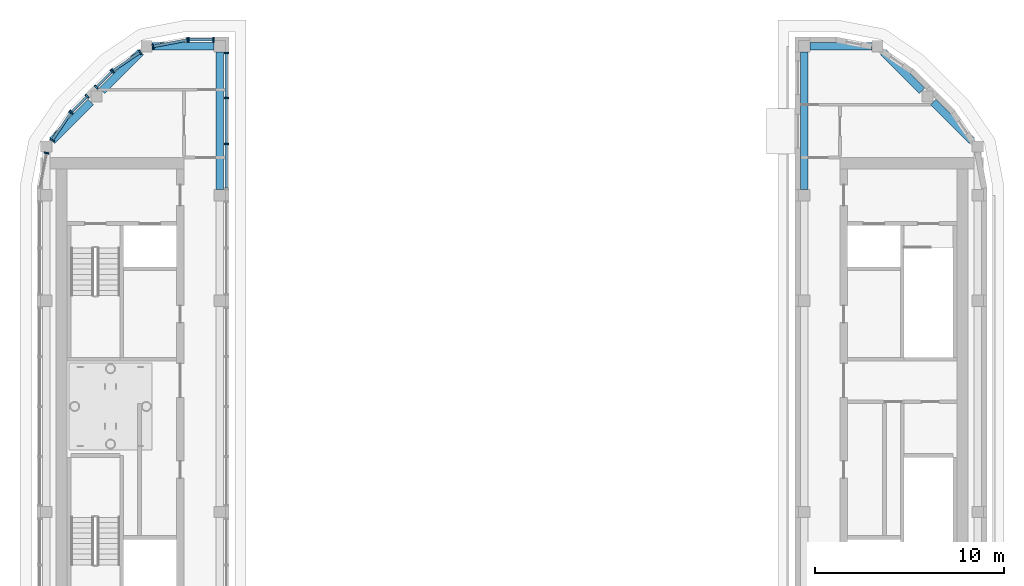
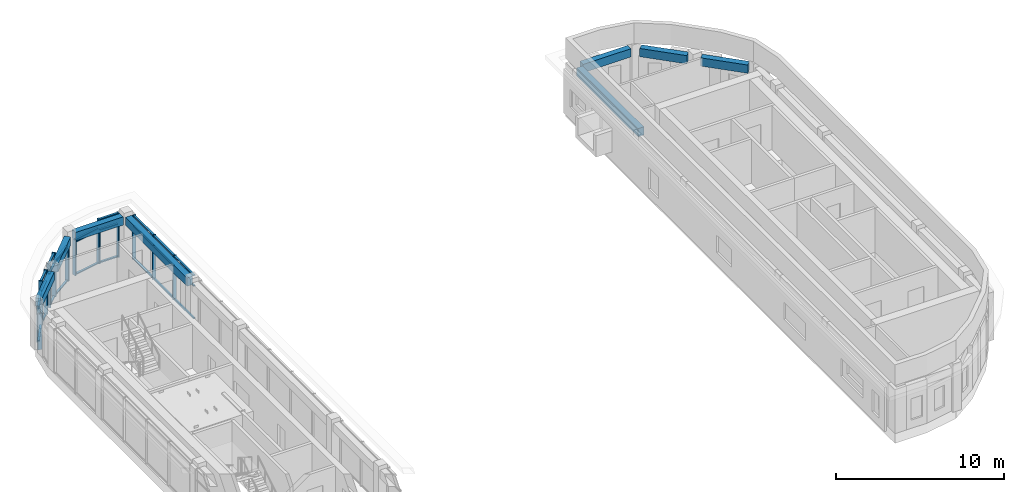
# One storey, part 6 of 16: 43 members, 8 beams, 8 elements without a shape of their own.
"""IFC4 building model written with IfcOpenShell, lengths in metres."""

import ifcopenshell
import ifcopenshell.guid

model = None  # the IFC model being written
_history = None  # IfcOwnerHistory: only IFC2X3 demands one
_inside = {}  # id of a spatial element -> (the spatial element, [elements in it])
_under = {}  # id of a project, library or spatial element -> (it, [spatial elements below it])
_declared = {}  # id of a project -> (the project, [libraries it declares])
_typed = {}  # id of a type object -> (the type object, [elements of that type])
_made_of = {}  # id of a material, layer set ... -> (it, [elements and type objects made of it])


def new_model(schema):
    """Start an empty IFC model of exactly this schema.

    Asked for "IFC4X3", IfcOpenShell would pick the latest addendum, in which some entities
    have other attributes; the version numbers below select the first issue.
    IFC2X3 requires an IfcOwnerHistory on every rooted entity: one is made here for all.
    """
    global model, _history
    if schema == "IFC4X3":
        model = ifcopenshell.file(schema_version=(4, 3, 0, 0))
    else:
        model = ifcopenshell.file(schema=schema)
    _inside.clear()
    _under.clear()
    _declared.clear()
    _typed.clear()
    _made_of.clear()
    _history = None
    if model.schema == "IFC2X3":
        org = make("IfcOrganization", Name="unknown")
        user = make(
            "IfcPersonAndOrganization",
            ThePerson=make("IfcPerson", FamilyName="unknown"),
            TheOrganization=org,
        )
        app = make(
            "IfcApplication",
            ApplicationDeveloper=org,
            Version="unknown",
            ApplicationFullName="unknown",
            ApplicationIdentifier="unknown",
        )
        _history = make(
            "IfcOwnerHistory",
            OwningUser=user,
            OwningApplication=app,
            ChangeAction="ADDED",
            CreationDate=0,
        )
    return model


def make(cls, **values):
    """One entity of the class cls with the attributes given. An attribute that is None is left unset."""
    return model.create_entity(
        cls, **{name: value for name, value in values.items() if value is not None}
    )


def rooted(cls, **values):
    """An entity with a GlobalId (a new one), such as an element, a storey or a relation."""
    return make(cls, GlobalId=ifcopenshell.guid.new(), OwnerHistory=_history, **values)


def si_unit(unit_type, name, prefix=None):
    """IfcSIUnit, for example si_unit("LENGTHUNIT", "METRE", prefix="MILLI")."""
    return make("IfcSIUnit", UnitType=unit_type, Prefix=prefix, Name=name)


def assignment(units):
    """IfcUnitAssignment: the units of a project."""
    return None if units is None else make("IfcUnitAssignment", Units=units)


def point(xyz):
    """IfcCartesianPoint."""
    return None if xyz is None else make("IfcCartesianPoint", Coordinates=xyz)


def direction(xyz):
    """IfcDirection."""
    return None if xyz is None else make("IfcDirection", DirectionRatios=xyz)


def frame(location, z_axis=None, x_axis=None):
    """IfcAxis2Placement3D, a coordinate frame: its origin and axes. An axis left out is left unset."""
    return make(
        "IfcAxis2Placement3D",
        Location=point(location),
        Axis=direction(z_axis),
        RefDirection=direction(x_axis),
    )


def frame_2d(location, x_axis=None):
    """IfcAxis2Placement2D, a coordinate frame in the plane: its origin and x axis."""
    return make(
        "IfcAxis2Placement2D", Location=point(location), RefDirection=direction(x_axis)
    )


def origin():
    """The frame at (0, 0, 0) with its axes left unset."""
    return frame((0.0, 0.0, 0.0))


def origin_2d():
    """The frame at (0, 0) in the plane with its x axis left unset."""
    return frame_2d((0.0, 0.0))


def place(relative_to, where):
    """IfcLocalPlacement: puts the frame where relative to a parent placement (None: the world)."""
    return make(
        "IfcLocalPlacement", PlacementRelTo=relative_to, RelativePlacement=where
    )


def context(
    kind, dimensions, precision=None, world=None, true_north=None, identifier=None
):
    """IfcGeometricRepresentationContext, for example the 3D "Model" context."""
    return make(
        "IfcGeometricRepresentationContext",
        ContextIdentifier=identifier,
        ContextType=kind,
        CoordinateSpaceDimension=dimensions,
        Precision=precision,
        WorldCoordinateSystem=world,
        TrueNorth=true_north,
    )


def subcontext(parent, identifier, kind, view, scale=None):
    """IfcGeometricRepresentationSubContext, for example "Body" below "Model"."""
    return make(
        "IfcGeometricRepresentationSubContext",
        ContextIdentifier=identifier,
        ContextType=kind,
        ParentContext=parent,
        TargetScale=scale,
        TargetView=view,
    )


def project(units=None, contexts=None):
    """IfcProject with its units and contexts."""
    return rooted(
        "IfcProject",
        Name="project",
        RepresentationContexts=contexts,
        UnitsInContext=assignment(units),
    )


def spatial(cls, under=None, at=None, **own):
    """A site, building, storey or space (cls), placed at a placement, below another one or the project."""
    s = rooted(cls, ObjectPlacement=at, **own)
    if under is not None:
        _under.setdefault(under.id(), (under, []))[1].append(s)
    return s


def profile(cls, at=None, kind="AREA", **sizes):
    """A parametric profile (cls). Its sizes go by their IFC names, for example OverallWidth=200.0."""
    return make(cls, ProfileType=kind, Position=at, **sizes)


def rectangle(**sizes):
    """IfcRectangleProfileDef."""
    return profile("IfcRectangleProfileDef", **sizes)


def extrude(swept, where, along, depth):
    """IfcExtrudedAreaSolid: the profile swept, set in the frame where, extruded along a direction by depth."""
    return make(
        "IfcExtrudedAreaSolid",
        SweptArea=swept,
        Position=where,
        ExtrudedDirection=direction(along),
        Depth=depth,
    )


def shape(context_of_items, identifier, shape_type, items):
    """IfcShapeRepresentation: the items that make up one representation, for example the "Body"."""
    return make(
        "IfcShapeRepresentation",
        ContextOfItems=context_of_items,
        RepresentationIdentifier=identifier,
        RepresentationType=shape_type,
        Items=items,
    )


def material(Name=None, Category=None):
    """IfcMaterial."""
    return make("IfcMaterial", Name=Name, Category=Category)


def layer(
    of_material, thickness, ventilated=None, Name=None, Category=None, Priority=None
):
    """IfcMaterialLayer: one layer of a wall or slab, of a material (None: an air gap)."""
    return make(
        "IfcMaterialLayer",
        Material=of_material,
        LayerThickness=thickness,
        IsVentilated=ventilated,
        Name=Name,
        Category=Category,
        Priority=Priority,
    )


def layer_set(layers, Name=None):
    """IfcMaterialLayerSet."""
    return make("IfcMaterialLayerSet", MaterialLayers=layers, LayerSetName=Name)


def material_profile(
    of_material, cross_section, Name=None, Category=None, Priority=None
):
    """IfcMaterialProfile: a cross section and its material."""
    return make(
        "IfcMaterialProfile",
        Name=Name,
        Material=of_material,
        Profile=cross_section,
        Priority=Priority,
        Category=Category,
    )


def profile_set(profiles, Name=None, composite=None):
    """IfcMaterialProfileSet."""
    return make(
        "IfcMaterialProfileSet",
        Name=Name,
        MaterialProfiles=profiles,
        CompositeProfile=composite,
    )


def made_of(thing, what):
    """Note that an element or type object is made of a material, layer set ...; save() writes the relation."""
    if what is not None:
        _made_of.setdefault(what.id(), (what, []))[1].append(thing)
    return thing


def type_object(cls, material=None, **own):
    """A type object (cls), such as IfcWallType, which elements share."""
    return made_of(rooted(cls, **own), material)


def element(
    cls,
    number,
    at=None,
    inside=None,
    cuts=None,
    type_object=None,
    material=None,
    context=None,
    identifier="Body",
    shape_type=None,
    held_by="IfcProductDefinitionShape",
    body=None,
    shapes=None,
    **own,
):
    """One element of the class cls, such as IfcWall. Its Tag is "e" and its number.

    at: its placement. inside: the storey or other place that contains it. cuts: it is an
    opening in that element (IfcRelVoidsElement). A single representation is given by context,
    identifier, shape_type and body (its items); several are given by shapes. held_by: the class
    of the entity that holds the representations. save() writes the other relations.
    """
    e = rooted(cls, Tag="e%d" % number, ObjectPlacement=at, **own)
    if body is not None:
        shapes = [shape(context, identifier, shape_type, body)]
    if shapes is not None:
        e.Representation = make(held_by, Representations=shapes)
    if inside is not None:
        _inside.setdefault(inside.id(), (inside, []))[1].append(e)
    if cuts is not None:
        rooted(
            "IfcRelVoidsElement", RelatingBuildingElement=cuts, RelatedOpeningElement=e
        )
    if type_object is not None:
        _typed.setdefault(type_object.id(), (type_object, []))[1].append(e)
    return made_of(e, material)


def aggregate(whole, parts):
    """IfcRelAggregates: a whole, such as a stair, and the parts it consists of."""
    return rooted("IfcRelAggregates", RelatingObject=whole, RelatedObjects=parts)


def save(model, path):
    """Write the relations noted so far, then the file.

    IfcRelAggregates (storeys below a building ...), IfcRelContainedInSpatialStructure (elements
    in a storey), IfcRelDefinesByType, IfcRelAssociatesMaterial and IfcRelDeclares: one each for
    every whole, place, type object, material and project.
    """
    for whole, parts in _under.values():
        aggregate(whole, parts)
    for where, things in _inside.values():
        rooted(
            "IfcRelContainedInSpatialStructure",
            RelatedElements=things,
            RelatingStructure=where,
        )
    for kind, things in _typed.values():
        rooted("IfcRelDefinesByType", RelatedObjects=things, RelatingType=kind)
    for what, things in _made_of.values():
        rooted("IfcRelAssociatesMaterial", RelatedObjects=things, RelatingMaterial=what)
    for by, libraries in _declared.values():
        rooted("IfcRelDeclares", RelatingContext=by, RelatedDefinitions=libraries)
    model.write(path)


model = new_model("IFC4")

# Units and contexts
model_context = context("Model", 3, precision=1e-05, world=origin(), true_north=direction((0.0, 1.0)))
body_context = subcontext(model_context, "Body", "Model", "MODEL_VIEW")
ifc_project = project(units=[si_unit("LENGTHUNIT", "METRE"), si_unit("AREAUNIT", "SQUARE_METRE"), si_unit("VOLUMEUNIT", "CUBIC_METRE"), si_unit("PLANEANGLEUNIT", "RADIAN"), si_unit("MASSUNIT", "GRAM", prefix="KILO")], contexts=[model_context])

# Site, building, storey
site_placement = place(None, origin())
site = spatial("IfcSite", under=ifc_project, at=site_placement, CompositionType="ELEMENT")
building_placement = place(site_placement, origin())
building = spatial("IfcBuilding", under=site, at=building_placement, Name="Kiln Ring Residences", CompositionType="ELEMENT")
storey_placement = place(building_placement, frame((0.0, 0.0, 313.89990234375)))
storey = spatial("IfcBuildingStorey", under=building, at=storey_placement, Name="L81 Crown", CompositionType="ELEMENT", Elevation=313.89990234375)

# Curtain wall, members
ifc_material_1 = material(Name="Aluminium and glass", Category="aluminium")
ifc_layer = layer(ifc_material_1, 0.25)
ifc_layer_set = layer_set([ifc_layer], Name="CW4 CURTAIN WALL")
curtain_wall_type = type_object("IfcCurtainWallType", Name="CW4 CURTAIN WALL", PredefinedType="NOTDEFINED", material=ifc_layer_set)
placement = place(storey_placement, origin())
curtain_wall_1 = element("IfcCurtainWall", 1, at=placement, inside=storey, type_object=curtain_wall_type, Name="Curtain wall CW4 L81 Crown", PredefinedType="NOTDEFINED")
ifc_material_2 = material(Name="Aluminium 6063-T6", Category="aluminium")
ifc_material_profile_1 = material_profile(ifc_material_2, rectangle(XDim=0.25, YDim=0.080078125, at=origin_2d()), Name="AL 250x80")
ifc_profile_set_1 = profile_set([ifc_material_profile_1], Name="Aluminium 6063-T6")
member_type_1 = type_object("IfcMemberType", Name="CW4 MULLION 250 x 80", PredefinedType="MULLION", material=ifc_profile_set_1)
member_1_placement = place(storey_placement, frame((-15.14990234375, 13.933349609375, 0.0), z_axis=(0.0, 0.0, 1.0), x_axis=(-1.0, 0.0, 0.0)))
member_1 = element("IfcMember", 2, at=member_1_placement, type_object=member_type_1, Name="CW4 mullion 2", PredefinedType="MULLION", context=body_context, shape_type="SweptSolid", body=[
    extrude(rectangle(XDim=0.25, YDim=0.080078125, at=origin_2d()), origin(), (0.0, 0.0, 1.0), 3.2001953125),
])
member_2_placement = place(storey_placement, frame((-15.14990234375, 16.36669921875, 0.0), z_axis=(0.0, 0.0, 1.0), x_axis=(-1.0, 0.0, 0.0)))
member_2 = element("IfcMember", 3, at=member_2_placement, type_object=member_type_1, Name="CW4 mullion 3", PredefinedType="MULLION", context=body_context, shape_type="SweptSolid", body=[
    extrude(rectangle(XDim=0.25, YDim=0.080078125, at=origin_2d()), origin(), (0.0, 0.0, 1.0), 3.2001953125),
])
member_3_placement = place(storey_placement, frame((-15.14990234375, 18.760009765625, 0.0), z_axis=(0.0, 0.0, 1.0), x_axis=(-1.0, 0.0, 0.0)))
member_3 = element("IfcMember", 4, at=member_3_placement, type_object=member_type_1, Name="CW4 mullion 4", PredefinedType="MULLION", context=body_context, shape_type="SweptSolid", body=[
    extrude(rectangle(XDim=0.25, YDim=0.080078125, at=origin_2d()), origin(), (0.0, 0.0, 1.0), 3.2001953125),
])

curtain_wall_2 = element("IfcCurtainWall", 5, at=placement, inside=storey, type_object=curtain_wall_type, Name="Curtain wall CW4 L81 Crown", PredefinedType="NOTDEFINED")
member_4_placement = place(storey_placement, frame((-15.840087890625, 19.449951171875, 0.0), z_axis=(0.0, 0.0, 1.0), x_axis=(0.0, -1.0, 0.0)))
member_4 = element("IfcMember", 6, at=member_4_placement, type_object=member_type_1, Name="CW4 mullion 1", PredefinedType="MULLION", context=body_context, shape_type="SweptSolid", body=[
    extrude(rectangle(XDim=0.25, YDim=0.080078125, at=origin_2d()), origin(), (0.0, 0.0, 1.0), 3.2001953125),
])
member_5_placement = place(storey_placement, frame((-17.159912109375, 19.449951171875, 0.0), z_axis=(0.0, 0.0, 1.0), x_axis=(0.0, -1.0, 0.0)))
member_5 = element("IfcMember", 7, at=member_5_placement, type_object=member_type_1, Name="CW4 mullion 2", PredefinedType="MULLION", context=body_context, shape_type="SweptSolid", body=[
    extrude(rectangle(XDim=0.25, YDim=0.080078125, at=origin_2d()), origin(), (0.0, 0.0, 1.0), 3.2001953125),
])

curtain_wall_3 = element("IfcCurtainWall", 8, at=placement, inside=storey, type_object=curtain_wall_type, Name="Curtain wall CW4 L81 Crown", PredefinedType="NOTDEFINED")
member_6_placement = place(storey_placement, frame((-17.211181640625, 19.445068359375, 0.0), z_axis=(0.0, 0.0, 1.0), x_axis=(0.187365550399, -0.982290257777, 0.0)))
member_6 = element("IfcMember", 9, at=member_6_placement, type_object=member_type_1, Name="CW4 mullion 1", PredefinedType="MULLION", context=body_context, shape_type="SweptSolid", body=[
    extrude(rectangle(XDim=0.25, YDim=0.080078125, at=origin_2d()), origin(), (0.0, 0.0, 1.0), 2.60009765625),
])
member_7_placement = place(storey_placement, frame((-19.0458984375, 19.09521484375, 0.0), z_axis=(0.0, 0.0, 1.0), x_axis=(0.187365550399, -0.982290257777, 0.0)))
member_7 = element("IfcMember", 10, at=member_7_placement, type_object=member_type_1, Name="CW4 mullion 2", PredefinedType="MULLION", context=body_context, shape_type="SweptSolid", body=[
    extrude(rectangle(XDim=0.25, YDim=0.080078125, at=origin_2d()), origin(), (0.0, 0.0, 1.0), 2.60009765625),
])

curtain_wall_4 = element("IfcCurtainWall", 11, at=placement, inside=storey, type_object=curtain_wall_type, Name="Curtain wall CW4 L81 Crown", PredefinedType="NOTDEFINED")
member_8_placement = place(storey_placement, frame((-19.72607421875, 18.789306640625, 0.0), z_axis=(0.0, 0.0, 1.0), x_axis=(0.56209665125, -0.827071553527, 0.0)))
member_8 = element("IfcMember", 12, at=member_8_placement, type_object=member_type_1, Name="CW4 mullion 1", PredefinedType="MULLION", context=body_context, shape_type="SweptSolid", body=[
    extrude(rectangle(XDim=0.25, YDim=0.080078125, at=origin_2d()), origin(), (0.0, 0.0, 1.0), 2.60009765625),
])
member_9_placement = place(storey_placement, frame((-21.1796875, 17.80126953125, 0.0), z_axis=(0.0, 0.0, 1.0), x_axis=(0.56209665125, -0.827071553527, 0.0)))
member_9 = element("IfcMember", 13, at=member_9_placement, type_object=member_type_1, Name="CW4 mullion 2", PredefinedType="MULLION", context=body_context, shape_type="SweptSolid", body=[
    extrude(rectangle(XDim=0.25, YDim=0.080078125, at=origin_2d()), origin(), (0.0, 0.0, 1.0), 2.60009765625),
])

curtain_wall_5 = element("IfcCurtainWall", 14, at=placement, inside=storey, type_object=curtain_wall_type, Name="Curtain wall CW4 L81 Crown", PredefinedType="NOTDEFINED")
member_10_placement = place(storey_placement, frame((-21.21923828125, 17.7685546875, 0.0), z_axis=(0.0, 0.0, 1.0), x_axis=(0.707106781581, -0.707106780792, 0.0)))
member_10 = element("IfcMember", 15, at=member_10_placement, type_object=member_type_1, Name="CW4 mullion 1", PredefinedType="MULLION", context=body_context, shape_type="SweptSolid", body=[
    extrude(rectangle(XDim=0.25, YDim=0.080078125, at=origin_2d()), origin(), (0.0, 0.0, 1.0), 3.2001953125),
])
member_11_placement = place(storey_placement, frame((-22.053466796875, 16.934326171875, 0.0), z_axis=(0.0, 0.0, 1.0), x_axis=(0.707106781581, -0.707106780792, 0.0)))
member_11 = element("IfcMember", 16, at=member_11_placement, type_object=member_type_1, Name="CW4 mullion 2", PredefinedType="MULLION", context=body_context, shape_type="SweptSolid", body=[
    extrude(rectangle(XDim=0.25, YDim=0.080078125, at=origin_2d()), origin(), (0.0, 0.0, 1.0), 3.2001953125),
])

curtain_wall_6 = element("IfcCurtainWall", 17, at=placement, inside=storey, type_object=curtain_wall_type, Name="Curtain wall CW4 L81 Crown", PredefinedType="NOTDEFINED")
member_12_placement = place(storey_placement, frame((-22.534423828125, 16.45361328125, 0.0), z_axis=(0.0, 0.0, 1.0), x_axis=(0.707106780792, -0.707106781581, 0.0)))
member_12 = element("IfcMember", 18, at=member_12_placement, type_object=member_type_1, Name="CW4 mullion 1", PredefinedType="MULLION", context=body_context, shape_type="SweptSolid", body=[
    extrude(rectangle(XDim=0.25, YDim=0.080078125, at=origin_2d()), origin(), (0.0, 0.0, 1.0), 3.2001953125),
])
member_13_placement = place(storey_placement, frame((-23.36865234375, 15.619384765625, 0.0), z_axis=(0.0, 0.0, 1.0), x_axis=(0.707106780792, -0.707106781581, 0.0)))
member_13 = element("IfcMember", 19, at=member_13_placement, type_object=member_type_1, Name="CW4 mullion 2", PredefinedType="MULLION", context=body_context, shape_type="SweptSolid", body=[
    extrude(rectangle(XDim=0.25, YDim=0.080078125, at=origin_2d()), origin(), (0.0, 0.0, 1.0), 3.2001953125),
])

curtain_wall_7 = element("IfcCurtainWall", 20, at=placement, inside=storey, type_object=curtain_wall_type, Name="Curtain wall CW4 L81 Crown", PredefinedType="NOTDEFINED")
member_14_placement = place(storey_placement, frame((-23.4013671875, 15.57958984375, 0.0), z_axis=(0.0, 0.0, 1.0), x_axis=(0.827071553527, -0.56209665125, 0.0)))
member_14 = element("IfcMember", 21, at=member_14_placement, type_object=member_type_1, Name="CW4 mullion 1", PredefinedType="MULLION", context=body_context, shape_type="SweptSolid", body=[
    extrude(rectangle(XDim=0.25, YDim=0.080078125, at=origin_2d()), origin(), (0.0, 0.0, 1.0), 2.60009765625),
])
member_15_placement = place(storey_placement, frame((-24.389404296875, 14.1259765625, 0.0), z_axis=(0.0, 0.0, 1.0), x_axis=(0.827071553527, -0.56209665125, 0.0)))
member_15 = element("IfcMember", 22, at=member_15_placement, type_object=member_type_1, Name="CW4 mullion 2", PredefinedType="MULLION", context=body_context, shape_type="SweptSolid", body=[
    extrude(rectangle(XDim=0.25, YDim=0.080078125, at=origin_2d()), origin(), (0.0, 0.0, 1.0), 2.60009765625),
])

# Curtain wall, member
curtain_wall_8 = element("IfcCurtainWall", 23, at=placement, inside=storey, type_object=curtain_wall_type, Name="Curtain wall CW4 L81 Crown", PredefinedType="NOTDEFINED")
member_16_placement = place(storey_placement, frame((-24.6953125, 13.44580078125, 0.0), z_axis=(0.0, 0.0, 1.0), x_axis=(0.982290257774, -0.187365550416, 0.0)))
member_16 = element("IfcMember", 24, at=member_16_placement, type_object=member_type_1, Name="CW4 mullion 1", PredefinedType="MULLION", context=body_context, shape_type="SweptSolid", body=[
    extrude(rectangle(XDim=0.25, YDim=0.080078125, at=origin_2d()), origin(), (0.0, 0.0, 1.0), 2.60009765625),
])
aggregate(curtain_wall_8, [member_16])

# Member
ifc_material_3 = material(Name="Aluminium 6063-T6", Category="aluminium")
ifc_material_profile_2 = material_profile(ifc_material_3, rectangle(XDim=0.139892578125, YDim=0.080078125, at=origin_2d()), Name="AL 140x80")
ifc_profile_set_2 = profile_set([ifc_material_profile_2], Name="Aluminium 6063-T6")
member_type_2 = type_object("IfcMemberType", Name="CW4 TRANSOM 140 x 80", PredefinedType="USERDEFINED", material=ifc_profile_set_2)
member_17_placement = place(storey_placement, frame((-15.14990234375, 11.580078125, 0.0400390625), z_axis=(0.0, 1.0, 0.0), x_axis=(-1.0, 0.0, 0.0)))
member_17 = element("IfcMember", 25, at=member_17_placement, type_object=member_type_2, Name="CW4 transom 1.1", ObjectType="TRANSOM", PredefinedType="USERDEFINED", context=body_context, shape_type="SweptSolid", body=[
    extrude(rectangle(XDim=0.139892578125, YDim=0.080078125, at=origin_2d()), origin(), (0.0, 0.0, 1.0), 2.313232421875),
])

member_18_placement = place(storey_placement, frame((-15.14990234375, 11.580078125, 2.400146484375), z_axis=(0.0, 1.0, 0.0), x_axis=(-1.0, 0.0, 0.0)))
member_18 = element("IfcMember", 26, at=member_18_placement, type_object=member_type_2, Name="CW4 transom 1.2", ObjectType="TRANSOM", PredefinedType="USERDEFINED", context=body_context, shape_type="SweptSolid", body=[
    extrude(rectangle(XDim=0.139892578125, YDim=0.080078125, at=origin_2d()), origin(), (0.0, 0.0, 1.0), 2.313232421875),
])

member_19_placement = place(storey_placement, frame((-15.14990234375, 11.580078125, 3.16015625), z_axis=(0.0, 1.0, 0.0), x_axis=(-1.0, 0.0, 0.0)))
member_19 = element("IfcMember", 27, at=member_19_placement, type_object=member_type_2, Name="CW4 transom 1.3", ObjectType="TRANSOM", PredefinedType="USERDEFINED", context=body_context, shape_type="SweptSolid", body=[
    extrude(rectangle(XDim=0.139892578125, YDim=0.080078125, at=origin_2d()), origin(), (0.0, 0.0, 1.0), 2.313232421875),
])

member_20_placement = place(storey_placement, frame((-15.14990234375, 13.973388671875, 0.0400390625), z_axis=(0.0, 1.0, 0.0), x_axis=(-1.0, 0.0, 0.0)))
member_20 = element("IfcMember", 28, at=member_20_placement, type_object=member_type_2, Name="CW4 transom 2.1", ObjectType="TRANSOM", PredefinedType="USERDEFINED", context=body_context, shape_type="SweptSolid", body=[
    extrude(rectangle(XDim=0.139892578125, YDim=0.080078125, at=origin_2d()), origin(), (0.0, 0.0, 1.0), 2.353271484375),
])

member_21_placement = place(storey_placement, frame((-15.14990234375, 13.973388671875, 2.400146484375), z_axis=(0.0, 1.0, 0.0), x_axis=(-1.0, 0.0, 0.0)))
member_21 = element("IfcMember", 29, at=member_21_placement, type_object=member_type_2, Name="CW4 transom 2.2", ObjectType="TRANSOM", PredefinedType="USERDEFINED", context=body_context, shape_type="SweptSolid", body=[
    extrude(rectangle(XDim=0.139892578125, YDim=0.080078125, at=origin_2d()), origin(), (0.0, 0.0, 1.0), 2.353271484375),
])

member_22_placement = place(storey_placement, frame((-15.14990234375, 13.973388671875, 3.16015625), z_axis=(0.0, 1.0, 0.0), x_axis=(-1.0, 0.0, 0.0)))
member_22 = element("IfcMember", 30, at=member_22_placement, type_object=member_type_2, Name="CW4 transom 2.3", ObjectType="TRANSOM", PredefinedType="USERDEFINED", context=body_context, shape_type="SweptSolid", body=[
    extrude(rectangle(XDim=0.139892578125, YDim=0.080078125, at=origin_2d()), origin(), (0.0, 0.0, 1.0), 2.353271484375),
])

member_23_placement = place(storey_placement, frame((-15.14990234375, 16.40673828125, 0.0400390625), z_axis=(0.0, 1.0, 0.0), x_axis=(-1.0, 0.0, 0.0)))
member_23 = element("IfcMember", 31, at=member_23_placement, type_object=member_type_2, Name="CW4 transom 3.1", ObjectType="TRANSOM", PredefinedType="USERDEFINED", context=body_context, shape_type="SweptSolid", body=[
    extrude(rectangle(XDim=0.139892578125, YDim=0.080078125, at=origin_2d()), origin(), (0.0, 0.0, 1.0), 2.313232421875),
])

member_24_placement = place(storey_placement, frame((-15.14990234375, 16.40673828125, 2.400146484375), z_axis=(0.0, 1.0, 0.0), x_axis=(-1.0, 0.0, 0.0)))
member_24 = element("IfcMember", 32, at=member_24_placement, type_object=member_type_2, Name="CW4 transom 3.2", ObjectType="TRANSOM", PredefinedType="USERDEFINED", context=body_context, shape_type="SweptSolid", body=[
    extrude(rectangle(XDim=0.139892578125, YDim=0.080078125, at=origin_2d()), origin(), (0.0, 0.0, 1.0), 2.313232421875),
])

member_25_placement = place(storey_placement, frame((-15.14990234375, 16.40673828125, 3.16015625), z_axis=(0.0, 1.0, 0.0), x_axis=(-1.0, 0.0, 0.0)))
member_25 = element("IfcMember", 33, at=member_25_placement, type_object=member_type_2, Name="CW4 transom 3.3", ObjectType="TRANSOM", PredefinedType="USERDEFINED", context=body_context, shape_type="SweptSolid", body=[
    extrude(rectangle(XDim=0.139892578125, YDim=0.080078125, at=origin_2d()), origin(), (0.0, 0.0, 1.0), 2.313232421875),
])

aggregate(curtain_wall_1, [member_1, member_2, member_3, member_17, member_18, member_19, member_20, member_21, member_22, member_23, member_24, member_25])

member_26_placement = place(storey_placement, frame((-15.8798828125, 19.449951171875, 0.0400390625), z_axis=(-1.0, 0.0, 0.0), x_axis=(0.0, -1.0, 0.0)))
member_26 = element("IfcMember", 34, at=member_26_placement, type_object=member_type_2, Name="CW4 transom 1.1", ObjectType="TRANSOM", PredefinedType="USERDEFINED", context=body_context, shape_type="SweptSolid", body=[
    extrude(rectangle(XDim=0.139892578125, YDim=0.080078125, at=origin_2d()), origin(), (0.0, 0.0, 1.0), 1.240234375),
])

member_27_placement = place(storey_placement, frame((-15.8798828125, 19.449951171875, 2.400146484375), z_axis=(-1.0, 0.0, 0.0), x_axis=(0.0, -1.0, 0.0)))
member_27 = element("IfcMember", 35, at=member_27_placement, type_object=member_type_2, Name="CW4 transom 1.2", ObjectType="TRANSOM", PredefinedType="USERDEFINED", context=body_context, shape_type="SweptSolid", body=[
    extrude(rectangle(XDim=0.139892578125, YDim=0.080078125, at=origin_2d()), origin(), (0.0, 0.0, 1.0), 1.240234375),
])

member_28_placement = place(storey_placement, frame((-15.8798828125, 19.449951171875, 3.16015625), z_axis=(-1.0, 0.0, 0.0), x_axis=(0.0, -1.0, 0.0)))
member_28 = element("IfcMember", 36, at=member_28_placement, type_object=member_type_2, Name="CW4 transom 1.3", ObjectType="TRANSOM", PredefinedType="USERDEFINED", context=body_context, shape_type="SweptSolid", body=[
    extrude(rectangle(XDim=0.139892578125, YDim=0.080078125, at=origin_2d()), origin(), (0.0, 0.0, 1.0), 1.240234375),
])

aggregate(curtain_wall_2, [member_4, member_5, member_26, member_27, member_28])

member_29_placement = place(storey_placement, frame((-17.25048828125, 19.437744140625, 0.0400390625), z_axis=(-0.982290722699, -0.187363112963, 0.0), x_axis=(0.187363112963, -0.982290722699, 0.0)))
member_29 = element("IfcMember", 37, at=member_29_placement, type_object=member_type_2, Name="CW4 transom 1.1", ObjectType="TRANSOM", PredefinedType="USERDEFINED", context=body_context, shape_type="SweptSolid", body=[
    extrude(rectangle(XDim=0.139892578125, YDim=0.080078125, at=origin_2d()), origin(), (0.0, 0.0, 1.0), 1.787841796875),
])

member_30_placement = place(storey_placement, frame((-17.25048828125, 19.437744140625, 2.400146484375), z_axis=(-0.982290722699, -0.187363112963, 0.0), x_axis=(0.187363112963, -0.982290722699, 0.0)))
member_30 = element("IfcMember", 38, at=member_30_placement, type_object=member_type_2, Name="CW4 transom 1.2", ObjectType="TRANSOM", PredefinedType="USERDEFINED", context=body_context, shape_type="SweptSolid", body=[
    extrude(rectangle(XDim=0.139892578125, YDim=0.080078125, at=origin_2d()), origin(), (0.0, 0.0, 1.0), 1.787841796875),
])

member_31_placement = place(storey_placement, frame((-17.25048828125, 19.437744140625, 2.56005859375), z_axis=(-0.982290722699, -0.187363112963, 0.0), x_axis=(0.187363112963, -0.982290722699, 0.0)))
member_31 = element("IfcMember", 39, at=member_31_placement, type_object=member_type_2, Name="CW4 transom 1.3", ObjectType="TRANSOM", PredefinedType="USERDEFINED", context=body_context, shape_type="SweptSolid", body=[
    extrude(rectangle(XDim=0.139892578125, YDim=0.080078125, at=origin_2d()), origin(), (0.0, 0.0, 1.0), 1.787841796875),
])

aggregate(curtain_wall_3, [member_6, member_7, member_29, member_30, member_31])

member_32_placement = place(storey_placement, frame((-19.759033203125, 18.766845703125, 0.0400390625), z_axis=(-0.827023931532, -0.562166716085, 0.0), x_axis=(0.562166716085, -0.827023931532, 0.0)))
member_32 = element("IfcMember", 40, at=member_32_placement, type_object=member_type_2, Name="CW4 transom 1.1", ObjectType="TRANSOM", PredefinedType="USERDEFINED", context=body_context, shape_type="SweptSolid", body=[
    extrude(rectangle(XDim=0.139892578125, YDim=0.080078125, at=origin_2d()), origin(), (0.0, 0.0, 1.0), 1.677734375),
])

member_33_placement = place(storey_placement, frame((-19.759033203125, 18.766845703125, 2.400146484375), z_axis=(-0.827023931532, -0.562166716085, 0.0), x_axis=(0.562166716085, -0.827023931532, 0.0)))
member_33 = element("IfcMember", 41, at=member_33_placement, type_object=member_type_2, Name="CW4 transom 1.2", ObjectType="TRANSOM", PredefinedType="USERDEFINED", context=body_context, shape_type="SweptSolid", body=[
    extrude(rectangle(XDim=0.139892578125, YDim=0.080078125, at=origin_2d()), origin(), (0.0, 0.0, 1.0), 1.677734375),
])

member_34_placement = place(storey_placement, frame((-19.759033203125, 18.766845703125, 2.56005859375), z_axis=(-0.827023931532, -0.562166716085, 0.0), x_axis=(0.562166716085, -0.827023931532, 0.0)))
member_34 = element("IfcMember", 42, at=member_34_placement, type_object=member_type_2, Name="CW4 transom 1.3", ObjectType="TRANSOM", PredefinedType="USERDEFINED", context=body_context, shape_type="SweptSolid", body=[
    extrude(rectangle(XDim=0.139892578125, YDim=0.080078125, at=origin_2d()), origin(), (0.0, 0.0, 1.0), 1.677734375),
])

aggregate(curtain_wall_4, [member_8, member_9, member_32, member_33, member_34])

member_35_placement = place(storey_placement, frame((-21.24755859375, 17.740234375, 0.0400390625), z_axis=(-0.707106781187, -0.707106781187, 0.0), x_axis=(0.707106781187, -0.707106781187, 0.0)))
member_35 = element("IfcMember", 43, at=member_35_placement, type_object=member_type_2, Name="CW4 transom 1.1", ObjectType="TRANSOM", PredefinedType="USERDEFINED", context=body_context, shape_type="SweptSolid", body=[
    extrude(rectangle(XDim=0.139892578125, YDim=0.080078125, at=origin_2d()), origin(), (0.0, 0.0, 1.0), 1.099609375),
])

member_36_placement = place(storey_placement, frame((-21.24755859375, 17.740234375, 2.400146484375), z_axis=(-0.707106781187, -0.707106781187, 0.0), x_axis=(0.707106781187, -0.707106781187, 0.0)))
member_36 = element("IfcMember", 44, at=member_36_placement, type_object=member_type_2, Name="CW4 transom 1.2", ObjectType="TRANSOM", PredefinedType="USERDEFINED", context=body_context, shape_type="SweptSolid", body=[
    extrude(rectangle(XDim=0.139892578125, YDim=0.080078125, at=origin_2d()), origin(), (0.0, 0.0, 1.0), 1.099609375),
])

member_37_placement = place(storey_placement, frame((-21.24755859375, 17.740234375, 3.16015625), z_axis=(-0.707106781187, -0.707106781187, 0.0), x_axis=(0.707106781187, -0.707106781187, 0.0)))
member_37 = element("IfcMember", 45, at=member_37_placement, type_object=member_type_2, Name="CW4 transom 1.3", ObjectType="TRANSOM", PredefinedType="USERDEFINED", context=body_context, shape_type="SweptSolid", body=[
    extrude(rectangle(XDim=0.139892578125, YDim=0.080078125, at=origin_2d()), origin(), (0.0, 0.0, 1.0), 1.099609375),
])

aggregate(curtain_wall_5, [member_10, member_11, member_35, member_36, member_37])

member_38_placement = place(storey_placement, frame((-22.562744140625, 16.42529296875, 0.0400390625), z_axis=(-0.706995784127, -0.707217760825, 0.0), x_axis=(0.707217760825, -0.706995784127, 0.0)))
member_38 = element("IfcMember", 46, at=member_38_placement, type_object=member_type_2, Name="CW4 transom 1.1", ObjectType="TRANSOM", PredefinedType="USERDEFINED", context=body_context, shape_type="SweptSolid", body=[
    extrude(rectangle(XDim=0.139892578125, YDim=0.080078125, at=origin_2d()), origin(), (0.0, 0.0, 1.0), 1.099853515625),
])

member_39_placement = place(storey_placement, frame((-22.562744140625, 16.42529296875, 2.400146484375), z_axis=(-0.706995784127, -0.707217760825, 0.0), x_axis=(0.707217760825, -0.706995784127, 0.0)))
member_39 = element("IfcMember", 47, at=member_39_placement, type_object=member_type_2, Name="CW4 transom 1.2", ObjectType="TRANSOM", PredefinedType="USERDEFINED", context=body_context, shape_type="SweptSolid", body=[
    extrude(rectangle(XDim=0.139892578125, YDim=0.080078125, at=origin_2d()), origin(), (0.0, 0.0, 1.0), 1.099853515625),
])

member_40_placement = place(storey_placement, frame((-22.562744140625, 16.42529296875, 3.16015625), z_axis=(-0.706995784127, -0.707217760825, 0.0), x_axis=(0.707217760825, -0.706995784127, 0.0)))
member_40 = element("IfcMember", 48, at=member_40_placement, type_object=member_type_2, Name="CW4 transom 1.3", ObjectType="TRANSOM", PredefinedType="USERDEFINED", context=body_context, shape_type="SweptSolid", body=[
    extrude(rectangle(XDim=0.139892578125, YDim=0.080078125, at=origin_2d()), origin(), (0.0, 0.0, 1.0), 1.099853515625),
])

aggregate(curtain_wall_6, [member_12, member_13, member_38, member_39, member_40])

member_41_placement = place(storey_placement, frame((-23.423828125, 15.546630859375, 0.0400390625), z_axis=(-0.562166716085, -0.827023931532, 0.0), x_axis=(0.827023931532, -0.562166716085, 0.0)))
member_41 = element("IfcMember", 49, at=member_41_placement, type_object=member_type_2, Name="CW4 transom 1.1", ObjectType="TRANSOM", PredefinedType="USERDEFINED", context=body_context, shape_type="SweptSolid", body=[
    extrude(rectangle(XDim=0.139892578125, YDim=0.080078125, at=origin_2d()), origin(), (0.0, 0.0, 1.0), 1.677734375),
])

member_42_placement = place(storey_placement, frame((-23.423828125, 15.546630859375, 2.400146484375), z_axis=(-0.562166716085, -0.827023931532, 0.0), x_axis=(0.827023931532, -0.562166716085, 0.0)))
member_42 = element("IfcMember", 50, at=member_42_placement, type_object=member_type_2, Name="CW4 transom 1.2", ObjectType="TRANSOM", PredefinedType="USERDEFINED", context=body_context, shape_type="SweptSolid", body=[
    extrude(rectangle(XDim=0.139892578125, YDim=0.080078125, at=origin_2d()), origin(), (0.0, 0.0, 1.0), 1.677734375),
])

member_43_placement = place(storey_placement, frame((-23.423828125, 15.546630859375, 2.56005859375), z_axis=(-0.562166716085, -0.827023931532, 0.0), x_axis=(0.827023931532, -0.562166716085, 0.0)))
member_43 = element("IfcMember", 51, at=member_43_placement, type_object=member_type_2, Name="CW4 transom 1.3", ObjectType="TRANSOM", PredefinedType="USERDEFINED", context=body_context, shape_type="SweptSolid", body=[
    extrude(rectangle(XDim=0.139892578125, YDim=0.080078125, at=origin_2d()), origin(), (0.0, 0.0, 1.0), 1.677734375),
])

aggregate(curtain_wall_7, [member_14, member_15, member_41, member_42, member_43])

# Beams
ifc_material_4 = material(Name="Concrete C50/60", Category="concrete")
ifc_material_profile_3 = material_profile(ifc_material_4, rectangle(XDim=0.39990234375, YDim=0.60009765625, at=origin_2d()), Name="RC400x600")
ifc_profile_set_3 = profile_set([ifc_material_profile_3], Name="Concrete C50/60")
beam_type = type_object("IfcBeamType", Name="Spandrel beam RC400x600 C50/60", PredefinedType="SPANDREL", material=ifc_profile_set_3)
beam_1_placement = place(storey_placement, frame((-15.5, 11.5, 2.900146484375), z_axis=(0.0, 1.0, 0.0), x_axis=(-1.0, 0.0, 0.0)))
element("IfcBeam", 52, at=beam_1_placement, inside=storey, type_object=beam_type, Name="Spandrel beam L81 Crown 10", PredefinedType="SPANDREL", context=body_context, shape_type="SweptSolid", body=[
    extrude(rectangle(XDim=0.39990234375, YDim=0.60009765625, at=origin_2d()), origin(), (0.0, 0.0, 1.0), 7.300048828125),
])
beam_2_placement = place(storey_placement, frame((-15.800048828125, 19.10009765625, 2.900146484375), z_axis=(-1.0, 0.0, 0.0), x_axis=(0.0, -1.0, 0.0)))
element("IfcBeam", 53, at=beam_2_placement, inside=storey, type_object=beam_type, Name="Spandrel beam L81 Crown 11", PredefinedType="SPANDREL", context=body_context, shape_type="SweptSolid", body=[
    extrude(rectangle(XDim=0.39990234375, YDim=0.60009765625, at=origin_2d()), origin(), (0.0, 0.0, 1.0), 3.29296875),
])
for number, where, z_axis, x_axis, name in (
    (54, (-19.69287109375, 18.800048828125, 2.900146484375), (-0.707064747792, -0.707148812083, 0.0), (0.707148812083, -0.707064747792, 0.0), "Spandrel beam L81 Crown 12"),
    (55, (-22.346435546875, 16.146484375, 2.900146484375), (-0.707064747792, -0.707148812083, 0.0), (0.707148812083, -0.707064747792, 0.0), "Spandrel beam L81 Crown 13"),
    (56, (24.39990234375, 14.0927734375, 2.900146484375), (-0.707064747792, 0.707148812083, 0.0), (-0.707148812083, -0.707064747792, 0.0), "Spandrel beam L81 Crown 27"),
    (57, (21.746337890625, 16.746337890625, 2.900146484375), (-0.707064747792, 0.707148812083, 0.0), (-0.707148812083, -0.707064747792, 0.0), "Spandrel beam L81 Crown 28"),
):
    element("IfcBeam", number, at=place(storey_placement, frame(where, z_axis=z_axis, x_axis=x_axis)), inside=storey, type_object=beam_type, Name=name, PredefinedType="SPANDREL", context=body_context, shape_type="SweptSolid", body=[
        extrude(rectangle(XDim=0.39990234375, YDim=0.60009765625, at=origin_2d()), origin(), (0.0, 0.0, 1.0), 2.904296875),
    ])
beam_3_placement = place(storey_placement, frame((19.093017578125, 19.10009765625, 2.900146484375), z_axis=(-1.0, 0.0, 0.0), x_axis=(0.0, -1.0, 0.0)))
element("IfcBeam", 58, at=beam_3_placement, inside=storey, type_object=beam_type, Name="Spandrel beam L81 Crown 29", PredefinedType="SPANDREL", context=body_context, shape_type="SweptSolid", body=[
    extrude(rectangle(XDim=0.39990234375, YDim=0.60009765625, at=origin_2d()), origin(), (0.0, 0.0, 1.0), 3.29296875),
])
beam_4_placement = place(storey_placement, frame((15.5, 18.800048828125, 2.900146484375), z_axis=(0.0, -1.0, 0.0), x_axis=(1.0, 0.0, 0.0)))
element("IfcBeam", 59, at=beam_4_placement, inside=storey, type_object=beam_type, Name="Spandrel beam L81 Crown 30", PredefinedType="SPANDREL", context=body_context, shape_type="SweptSolid", body=[
    extrude(rectangle(XDim=0.39990234375, YDim=0.60009765625, at=origin_2d()), origin(), (0.0, 0.0, 1.0), 7.300048828125),
])

save(model, "model.ifc")
